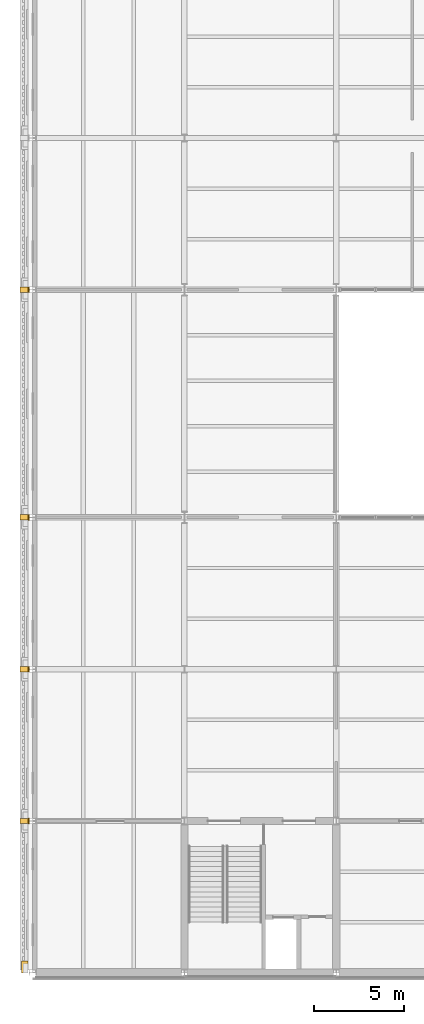
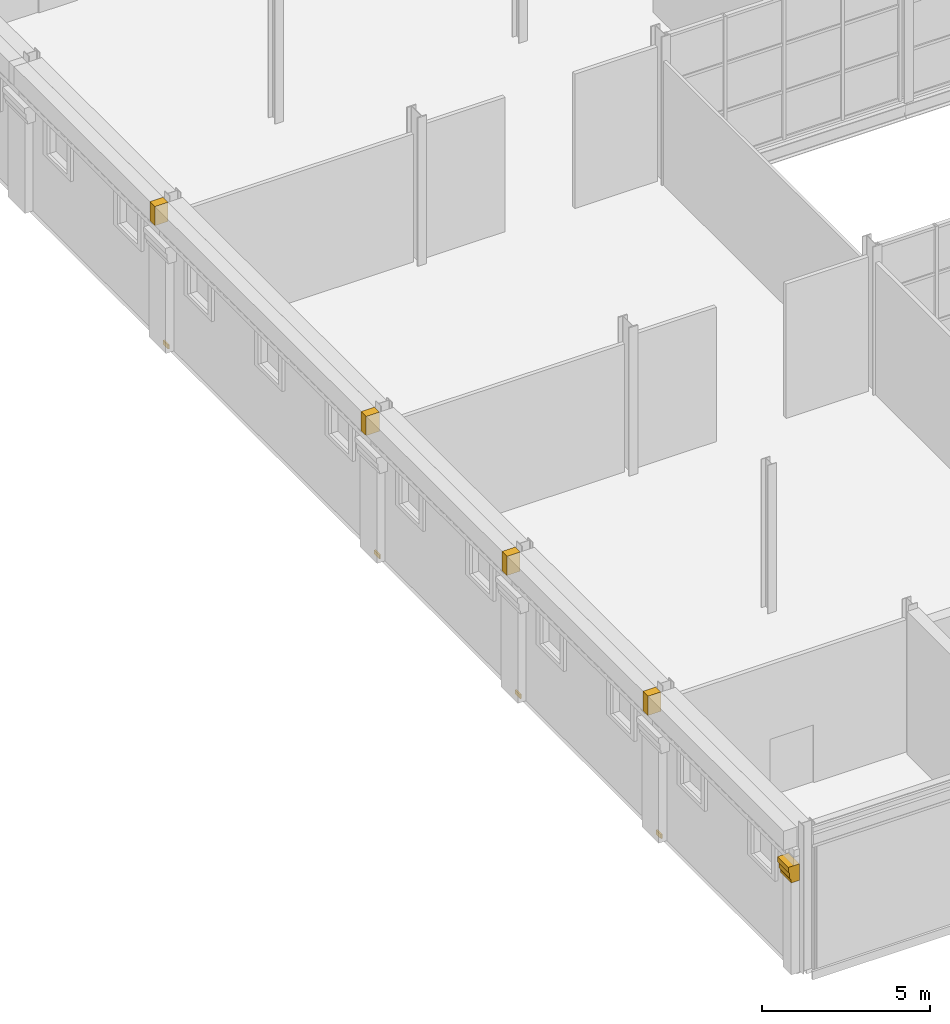
# One storey, part 54 of 57: 9 coverings.
"""IFC4 building model written with IfcOpenShell, lengths in metres."""

from ifc_helpers import new_model, si_unit, direction, frame, origin, origin_2d, place, context, subcontext, project, spatial, polyline, rectangle, outline, extrude, material, layer, layer_set, type_object, element, save


model = new_model("IFC4")

# Units and contexts
model_context = context("Model", 3, precision=1e-05, world=origin(), true_north=direction((0.0, 1.0)))
body_context = subcontext(model_context, "Body", "Model", "MODEL_VIEW")
ifc_project = project(units=[si_unit("LENGTHUNIT", "METRE"), si_unit("AREAUNIT", "SQUARE_METRE"), si_unit("VOLUMEUNIT", "CUBIC_METRE"), si_unit("PLANEANGLEUNIT", "RADIAN"), si_unit("MASSUNIT", "GRAM", prefix="KILO")], contexts=[model_context])

# Site, building, storey
site_placement = place(None, origin())
site = spatial("IfcSite", under=ifc_project, at=site_placement, CompositionType="ELEMENT")
building_placement = place(site_placement, origin())
building = spatial("IfcBuilding", under=site, at=building_placement, Name="Galleria Vessillo Department Store", CompositionType="ELEMENT")
storey_placement = place(building_placement, frame((0.0, 0.0, 25.800048828125)))
storey = spatial("IfcBuildingStorey", under=building, at=storey_placement, Name="L05", CompositionType="ELEMENT", Elevation=25.800048828125)

# Coverings
ifc_material_1 = material(Name="Botticino limestone ashlar", Category="masonry")
ifc_layer_1 = layer(ifc_material_1, 0.449951171875)
ifc_layer_set_1 = layer_set([ifc_layer_1], Name="Botticino limestone ashlar")
covering_type_1 = type_object("IfcCoveringType", Name="Limestone cornice 450 x 700", PredefinedType="MOLDING", material=ifc_layer_set_1)
for number, where, z_axis, x_axis, name in (
    (1, (-0.47509765625, 8.39990234375, 4.5), (0.0, 0.0, 1.0), (1.0, 0.0, 0.0), "Joint block Cornice SW-L05-01"),
    (2, (-0.47509765625, 16.800048828125, 4.5), (0.0, 0.0, 1.0), (1.0, 0.0, 0.0), "Joint block Cornice SW-L05-02"),
    (3, (-0.47509765625, 25.199951171875, 4.5), (0.0, 0.0, 1.0), (1.0, 0.0, 0.0), "Joint block Cornice SW-L05-03"),
    (4, (-0.47509765625, 37.800048828125, 4.5), (0.0, 0.0, 1.0), (1.0, 0.0, 0.0), "Joint block Cornice SW-L05-04"),
):
    element("IfcCovering", number, at=place(storey_placement, frame(where, z_axis=z_axis, x_axis=x_axis)), inside=storey, type_object=covering_type_1, Name=name, PredefinedType="MOLDING", context=body_context, shape_type="SweptSolid", body=[
        extrude(rectangle(XDim=0.449951171875, YDim=0.300048828125, at=origin_2d()), origin(), (0.0, 0.0, 1.0), 0.699951171875),
    ])
ifc_material_2 = material(Name="Botticino limestone ashlar", Category="masonry")
ifc_layer_2 = layer(ifc_material_2, 0.3798828125)
ifc_layer_set_2 = layer_set([ifc_layer_2], Name="Botticino limestone ashlar")
covering_type_2 = type_object("IfcCoveringType", Name="Limestone pilaster capital 1300 x 380 x 600", PredefinedType="MOLDING", material=ifc_layer_set_2)
covering_placement = place(storey_placement, frame((0.0, 0.0, 3.349853515625), z_axis=(0.0, 1.0, 0.0), x_axis=(-1.0, 0.0, 0.0)))
element("IfcCovering", 5, at=covering_placement, inside=storey, type_object=covering_type_2, Name="Pilaster capital W y=0.0", PredefinedType="MOLDING", context=body_context, shape_type="SweptSolid", body=[
    extrude(outline(polyline([(0.25, 0.0), (0.530029296875, 0.0), (0.530029296875, 0.10009765625), (0.580078125, 0.179931640625), (0.580078125, 0.3798828125), (0.6298828125, 0.419921875), (0.6298828125, 0.60009765625), (0.25, 0.60009765625), (0.25, 0.0)])), origin(), (0.0, 0.0, 1.0), 0.64990234375),
])
ifc_material_3 = material(Name="Botticino limestone ashlar", Category="masonry")
ifc_layer_3 = layer(ifc_material_3, 0.14990234375)
ifc_layer_set_3 = layer_set([ifc_layer_3], Name="Botticino limestone ashlar")
covering_type_3 = type_object("IfcCoveringType", Name="Limestone slab-edge fascia 150 mm", PredefinedType="CLADDING", material=ifc_layer_set_3)
for number, where, z_axis, x_axis, name in (
    (6, (-0.22509765625, 8.39990234375, -0.14990234375), (0.0, 0.0, 1.0), (1.0, 0.0, 0.0), "Joint block Slab-edge fascia SW-L04-01"),
    (7, (-0.22509765625, 16.800048828125, -0.14990234375), (0.0, 0.0, 1.0), (1.0, 0.0, 0.0), "Joint block Slab-edge fascia SW-L04-02"),
    (8, (-0.22509765625, 25.199951171875, -0.14990234375), (0.0, 0.0, 1.0), (1.0, 0.0, 0.0), "Joint block Slab-edge fascia SW-L04-03"),
    (9, (-0.22509765625, 37.800048828125, -0.14990234375), (0.0, 0.0, 1.0), (1.0, 0.0, 0.0), "Joint block Slab-edge fascia SW-L04-04"),
):
    element("IfcCovering", number, at=place(storey_placement, frame(where, z_axis=z_axis, x_axis=x_axis)), inside=storey, type_object=covering_type_3, Name=name, PredefinedType="CLADDING", context=body_context, shape_type="SweptSolid", body=[
        extrude(rectangle(XDim=0.050048828125, YDim=0.300048828125, at=origin_2d()), origin(), (0.0, 0.0, 1.0), 0.14990234375),
    ])

save(model, "model.ifc")
